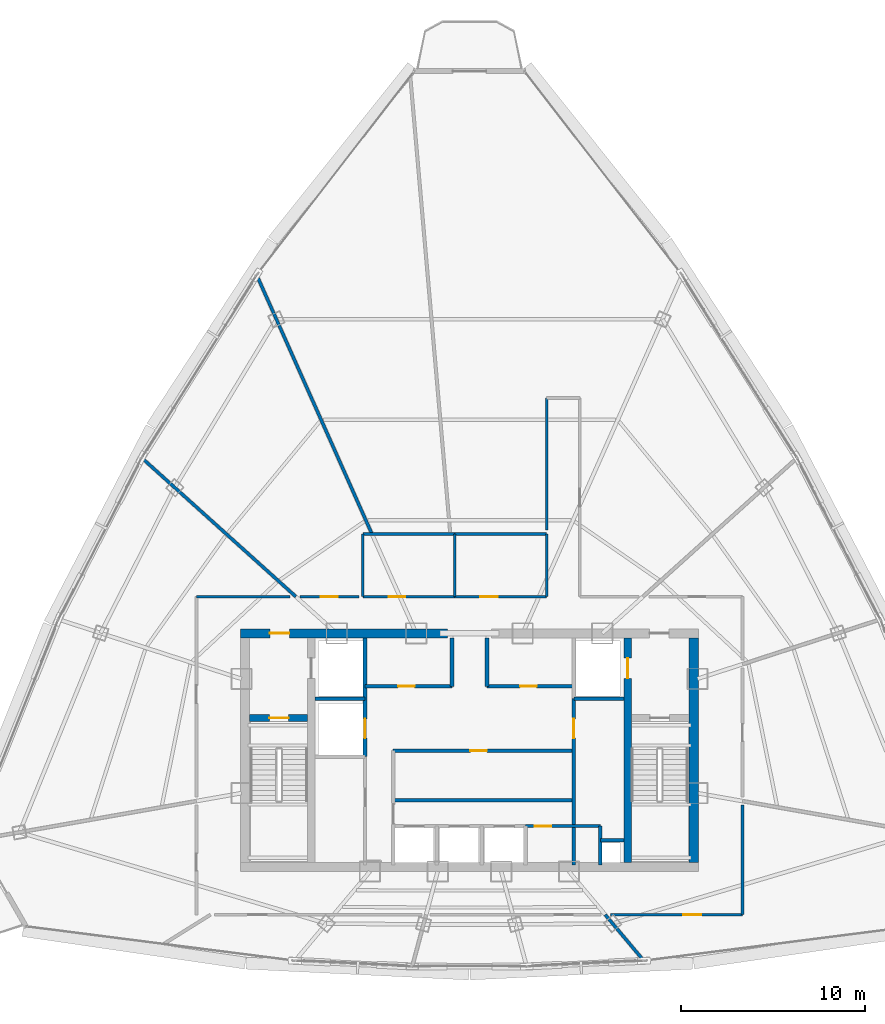
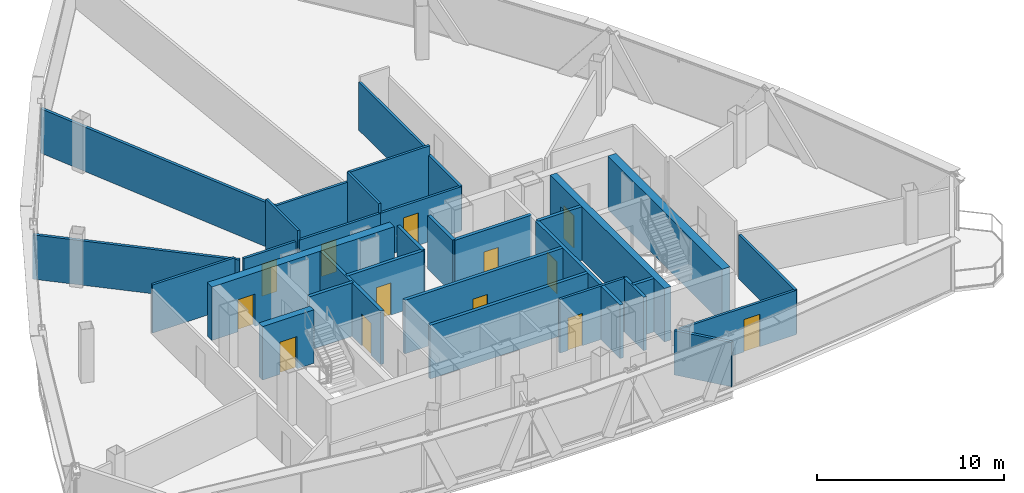
# One storey, part 26 of 30: 32 walls, 13 doors, 13 openings.
"""IFC4 building model written with IfcOpenShell, lengths in metres."""

from ifc_helpers import new_model, si_unit, direction, frame, frame_2d, origin, origin_with_axes, place, context, subcontext, project, spatial, rectangle, extrude, source, transform, mapped, material, layer, layer_set, type_object, element, fill, save


model = new_model("IFC4")

# Units and contexts
model_context = context("Model", 3, precision=1e-05, world=origin(), true_north=direction((0.0, 1.0)))
body_context = subcontext(model_context, "Body", "Model", "MODEL_VIEW")
ifc_project = project(units=[si_unit("LENGTHUNIT", "METRE"), si_unit("AREAUNIT", "SQUARE_METRE"), si_unit("VOLUMEUNIT", "CUBIC_METRE"), si_unit("PLANEANGLEUNIT", "RADIAN"), si_unit("MASSUNIT", "GRAM", prefix="KILO"), si_unit("THERMODYNAMICTEMPERATUREUNIT", "KELVIN"), si_unit("POWERUNIT", "WATT")], contexts=[model_context])

# Site, building, storey
site_placement = place(None, origin())
site = spatial("IfcSite", under=ifc_project, at=site_placement, CompositionType="ELEMENT")
building_placement = place(site_placement, origin())
building = spatial("IfcBuilding", under=site, at=building_placement, Name="Yunzhuo Pagoda Commons", CompositionType="ELEMENT")
storey_placement = place(building_placement, frame((0.0, 0.0, 348.010009765625)))
storey = spatial("IfcBuildingStorey", under=building, at=storey_placement, Name="L87", CompositionType="ELEMENT", Elevation=348.010009765625)

# Wall, opening, door
ifc_material_1 = material(Name="Concrete C50", Category="concrete")
ifc_layer_1 = layer(ifc_material_1, 0.5)
ifc_layer_set_1 = layer_set([ifc_layer_1], Name="Concrete C50")
wall_type_1 = type_object("IfcWallType", Name="W-C03 Upper Core Shear Wall 500", PredefinedType="SHEAR", material=ifc_layer_set_1)
wall_1_placement = place(storey_placement, frame((35.550048828125, 40.199951171875, 0.0), z_axis=(0.0, 0.0, 1.0), x_axis=(1.0, 0.0, 0.0)))
wall_1 = element("IfcWall", 1, at=wall_1_placement, inside=storey, type_object=wall_type_1, Name="L87 core shear wall NW", PredefinedType="SHEAR", context=body_context, shape_type="SweptSolid", body=[
    extrude(rectangle(XDim=11.25, YDim=0.5, at=frame_2d((5.625, 0.0))), origin(), (0.0, 0.0, 1.0), 3.489990234375),
])
opening_1_placement = place(wall_1_placement, frame((1.60009765625, 0.0, 0.0)))
opening_1 = element("IfcOpeningElement", 2, at=opening_1_placement, cuts=wall_1, Name="Opening D-02", PredefinedType="OPENING", context=body_context, shape_type="SweptSolid", body=[
    extrude(rectangle(XDim=1.050048828125, YDim=2.10009765625, at=frame_2d((0.52490234375, 1.050048828125))), frame((0.0, 0.260009765625, 0.0), z_axis=(0.0, -1.0, 0.0), x_axis=(1.0, 0.0, 0.0)), (0.0, 0.0, 1.0), 0.52001953125),
])
ifc_material_2 = material(Name="Galvanized fire-resisting metal leaf")
door_type_1 = type_object("IfcDoorType", Name="D-02 Firefighting Lobby & Refuge Fire Door 1050x2100", OperationType="NOTDEFINED", PredefinedType="DOOR", material=ifc_material_2)
shared_shape_1 = source(origin(), body_context, "Body", "SweptSolid", [
    extrude(rectangle(XDim=1.050048828125, YDim=2.10009765625, at=frame_2d((0.52490234375, 1.050048828125))), frame((0.0, 0.02490234375, 0.0), z_axis=(0.0, -1.0, 0.0), x_axis=(1.0, 0.0, 0.0)), (0.0, 0.0, 1.0), 0.050048828125),
])
door_1_placement = place(opening_1_placement, frame((1.050048828125, 0.0, 0.0), z_axis=(0.0, 0.0, 1.0), x_axis=(-1.0, 0.0, 0.0)))
door_1 = element("IfcDoor", 3, at=door_1_placement, inside=storey, type_object=door_type_1, Name="L87 Firefighting Lobby 1 fire door", OperationType="SINGLE_SWING_LEFT", OverallHeight=2.10009765625, OverallWidth=1.050048828125, PredefinedType="DOOR", context=body_context, shape_type="MappedRepresentation", body=[
    mapped(shared_shape_1, transform((0.0, 0.0, 0.0), scale=1.0)),
])
fill(opening_1, door_1)

# Wall
wall_2_placement = place(storey_placement, frame((60.199951171875, 27.75, 0.0), z_axis=(0.0, 0.0, 1.0), x_axis=(0.0, 1.0, 0.0)))
element("IfcWall", 4, at=wall_2_placement, inside=storey, type_object=wall_type_1, Name="L87 core shear wall E", PredefinedType="SHEAR", context=body_context, shape_type="SweptSolid", body=[
    extrude(rectangle(XDim=12.199951171875, YDim=0.5, at=frame_2d((6.10009765625, 0.0))), origin(), (0.0, 0.0, 1.0), 3.489990234375),
])

# Wall, opening, door
ifc_material_3 = material(Name="Gypsum plasterboard on acoustic stud")
ifc_layer_2 = layer(ifc_material_3, 0.14990234375)
ifc_layer_set_2 = layer_set([ifc_layer_2], Name="Gypsum plasterboard on acoustic stud")
wall_type_2 = type_object("IfcWallType", Name="W-COR3 High-Zone Rated Corridor Wall 150", PredefinedType="PARTITIONING", material=ifc_layer_set_2)
wall_3_placement = place(storey_placement, frame((51.050048828125, 29.719970703125, 0.0), z_axis=(0.0, 0.0, 1.0), x_axis=(1.0, 0.0, 0.0)))
wall_3 = element("IfcWall", 5, at=wall_3_placement, inside=storey, type_object=wall_type_2, Name="L87 interior wall IW-L87-CSES", PredefinedType="PARTITIONING", context=body_context, shape_type="SweptSolid", body=[
    extrude(rectangle(XDim=4.070068359375, YDim=0.14990234375, at=frame_2d((2.03515625, 0.0))), origin(), (0.0, 0.0, 1.0), 3.489990234375),
])
opening_2_placement = place(wall_3_placement, frame((0.5, 0.0, 0.0)))
opening_2 = element("IfcOpeningElement", 6, at=opening_2_placement, cuts=wall_3, Name="Opening D-03", PredefinedType="OPENING", context=body_context, shape_type="SweptSolid", body=[
    extrude(rectangle(XDim=0.89990234375, YDim=2.10009765625, at=frame_2d((0.449951171875, 1.050048828125))), frame((0.0, 0.0849609375, 0.0), z_axis=(0.0, -1.0, 0.0), x_axis=(1.0, 0.0, 0.0)), (0.0, 0.0, 1.0), 0.169921875),
])
door_type_2 = type_object("IfcDoorType", Name="D-03 Core Service Fire Door 900x2100", OperationType="NOTDEFINED", PredefinedType="DOOR", material=ifc_material_2)
shared_shape_2 = source(origin(), body_context, "Body", "SweptSolid", [
    extrude(rectangle(XDim=0.89990234375, YDim=2.10009765625, at=frame_2d((0.449951171875, 1.050048828125))), frame((0.0, 0.02490234375, 0.0), z_axis=(0.0, -1.0, 0.0), x_axis=(1.0, 0.0, 0.0)), (0.0, 0.0, 1.0), 0.050048828125),
])
door_2_placement = place(opening_2_placement, origin_with_axes())
door_2 = element("IfcDoor", 7, at=door_2_placement, inside=storey, type_object=door_type_2, Name="L87 cleaner store door", OperationType="SINGLE_SWING_LEFT", OverallHeight=2.10009765625, OverallWidth=0.89990234375, PredefinedType="DOOR", context=body_context, shape_type="MappedRepresentation", body=[
    mapped(shared_shape_2, transform((0.0, 0.0, 0.0), scale=1.0)),
])
fill(opening_2, door_2)

wall_4_placement = place(storey_placement, frame((42.199951171875, 42.199951171875, 0.0), z_axis=(0.0, 0.0, 1.0), x_axis=(1.0, 0.0, 0.0)))
wall_4 = element("IfcWall", 8, at=wall_4_placement, inside=storey, type_object=wall_type_2, Name="L87 interior wall IW-L87-TFWS", PredefinedType="PARTITIONING", context=body_context, shape_type="SweptSolid", body=[
    extrude(rectangle(XDim=5.0, YDim=0.14990234375, at=frame_2d((2.5, 0.0))), origin(), (0.0, 0.0, 1.0), 2.889892578125),
])
opening_3_placement = place(wall_4_placement, frame((1.39990234375, 0.0, 0.0)))
opening_3 = element("IfcOpeningElement", 9, at=opening_3_placement, cuts=wall_4, Name="Opening D-04", PredefinedType="OPENING", context=body_context, shape_type="SweptSolid", body=[
    extrude(rectangle(XDim=0.919921875, YDim=2.10009765625, at=frame_2d((0.4599609375, 1.050048828125))), frame((0.0, 0.0849609375, 0.0), z_axis=(0.0, -1.0, 0.0), x_axis=(1.0, 0.0, 0.0)), (0.0, 0.0, 1.0), 0.169921875),
])
ifc_material_4 = material(Name="Powder-coated aluminium and timber acoustic leaf", Category="wood")
door_type_3 = type_object("IfcDoorType", Name="D-04 Bedroom & Study Interior Door 920x2100", OperationType="NOTDEFINED", PredefinedType="DOOR", material=ifc_material_4)
shared_shape_3 = source(origin(), body_context, "Body", "SweptSolid", [
    extrude(rectangle(XDim=0.919921875, YDim=2.10009765625, at=frame_2d((0.4599609375, 1.050048828125))), frame((0.0, 0.02490234375, 0.0), z_axis=(0.0, -1.0, 0.0), x_axis=(1.0, 0.0, 0.0)), (0.0, 0.0, 1.0), 0.050048828125),
])
door_3_placement = place(opening_3_placement, frame((0.919921875, 0.0, 0.0), z_axis=(0.0, 0.0, 1.0), x_axis=(-1.0, 0.0, 0.0)))
door_3 = element("IfcDoor", 10, at=door_3_placement, inside=storey, type_object=door_type_3, Name="L87 laundry door", OperationType="SINGLE_SWING_LEFT", OverallHeight=2.10009765625, OverallWidth=0.919921875, PredefinedType="DOOR", context=body_context, shape_type="MappedRepresentation", body=[
    mapped(shared_shape_3, transform((0.0, 0.0, 0.0), scale=1.0)),
])
fill(opening_3, door_3)

# Walls
wall_5_placement = place(storey_placement, frame((42.199951171875, 45.60009765625, 0.0), z_axis=(0.0, 0.0, 1.0), x_axis=(1.0, 0.0, 0.0)))
element("IfcWall", 11, at=wall_5_placement, inside=storey, type_object=wall_type_2, Name="L87 interior wall IW-L87-TFWN", PredefinedType="PARTITIONING", context=body_context, shape_type="SweptSolid", body=[
    extrude(rectangle(XDim=5.0, YDim=0.14990234375, at=frame_2d((2.5, 0.0))), origin(), (0.0, 0.0, 1.0), 2.889892578125),
])
wall_6_placement = place(storey_placement, frame((42.199951171875, 42.199951171875, 0.0), z_axis=(0.0, 0.0, 1.0), x_axis=(0.0, 1.0, 0.0)))
element("IfcWall", 12, at=wall_6_placement, inside=storey, type_object=wall_type_2, Name="L87 interior wall IW-L87-TFWW", PredefinedType="PARTITIONING", context=body_context, shape_type="SweptSolid", body=[
    extrude(rectangle(XDim=3.400146484375, YDim=0.14990234375, at=frame_2d((1.7001953125, 0.0))), origin(), (0.0, 0.0, 1.0), 3.489990234375),
])

# Wall, opening, door
wall_7_placement = place(storey_placement, frame((47.199951171875, 42.199951171875, 0.0), z_axis=(0.0, 0.0, 1.0), x_axis=(1.0, 0.0, 0.0)))
wall_7 = element("IfcWall", 13, at=wall_7_placement, inside=storey, type_object=wall_type_2, Name="L87 interior wall IW-L87-TFES", PredefinedType="PARTITIONING", context=body_context, shape_type="SweptSolid", body=[
    extrude(rectangle(XDim=5.0, YDim=0.14990234375, at=frame_2d((2.5, 0.0))), origin(), (0.0, 0.0, 1.0), 2.889892578125),
])
opening_4_placement = place(wall_7_placement, frame((1.39990234375, 0.0, 0.0)))
opening_4 = element("IfcOpeningElement", 14, at=opening_4_placement, cuts=wall_7, Name="Opening D-11", PredefinedType="OPENING", context=body_context, shape_type="SweptSolid", body=[
    extrude(rectangle(XDim=0.93994140625, YDim=2.10009765625, at=frame_2d((0.469970703125, 1.050048828125))), frame((0.0, 0.0849609375, 0.0), z_axis=(0.0, -1.0, 0.0), x_axis=(1.0, 0.0, 0.0)), (0.0, 0.0, 1.0), 0.169921875),
])
door_type_4 = type_object("IfcDoorType", Name="D-11 Accessible Washroom Fire Door 940x2100", OperationType="NOTDEFINED", PredefinedType="DOOR", material=ifc_material_2)
shared_shape_4 = source(origin(), body_context, "Body", "SweptSolid", [
    extrude(rectangle(XDim=0.93994140625, YDim=2.10009765625, at=frame_2d((0.469970703125, 1.050048828125))), frame((0.0, 0.02490234375, 0.0), z_axis=(0.0, -1.0, 0.0), x_axis=(1.0, 0.0, 0.0)), (0.0, 0.0, 1.0), 0.050048828125),
])
door_4_placement = place(opening_4_placement, frame((0.93994140625, 0.0, 0.0), z_axis=(0.0, 0.0, 1.0), x_axis=(-1.0, 0.0, 0.0)))
door_4 = element("IfcDoor", 15, at=door_4_placement, inside=storey, type_object=door_type_4, Name="L87 accessible WC door", OperationType="SINGLE_SWING_RIGHT", OverallHeight=2.10009765625, OverallWidth=0.93994140625, PredefinedType="DOOR", context=body_context, shape_type="MappedRepresentation", body=[
    mapped(shared_shape_4, transform((0.0, 0.0, 0.0), scale=1.0)),
])
fill(opening_4, door_4)

# Walls
wall_8_placement = place(storey_placement, frame((47.199951171875, 45.60009765625, 0.0), z_axis=(0.0, 0.0, 1.0), x_axis=(1.0, 0.0, 0.0)))
element("IfcWall", 16, at=wall_8_placement, inside=storey, type_object=wall_type_2, Name="L87 interior wall IW-L87-TFEN", PredefinedType="PARTITIONING", context=body_context, shape_type="SweptSolid", body=[
    extrude(rectangle(XDim=5.0, YDim=0.14990234375, at=frame_2d((2.5, 0.0))), origin(), (0.0, 0.0, 1.0), 3.489990234375),
])
wall_9_placement = place(storey_placement, frame((47.199951171875, 42.199951171875, 0.0), z_axis=(0.0, 0.0, 1.0), x_axis=(0.0, 1.0, 0.0)))
element("IfcWall", 17, at=wall_9_placement, inside=storey, type_object=wall_type_2, Name="L87 interior wall IW-L87-TFEW", PredefinedType="PARTITIONING", context=body_context, shape_type="SweptSolid", body=[
    extrude(rectangle(XDim=3.400146484375, YDim=0.14990234375, at=frame_2d((1.7001953125, 0.0))), origin(), (0.0, 0.0, 1.0), 3.489990234375),
])
wall_10_placement = place(storey_placement, frame((52.199951171875, 42.199951171875, 0.0), z_axis=(0.0, 0.0, 1.0), x_axis=(0.0, 1.0, 0.0)))
element("IfcWall", 18, at=wall_10_placement, inside=storey, type_object=wall_type_2, Name="L87 interior wall IW-L87-TFEE", PredefinedType="PARTITIONING", context=body_context, shape_type="SweptSolid", body=[
    extrude(rectangle(XDim=3.400146484375, YDim=0.14990234375, at=frame_2d((1.7001953125, 0.0))), origin(), (0.0, 0.0, 1.0), 2.889892578125),
])
wall_11_placement = place(storey_placement, frame((33.14990234375, 42.199951171875, 0.0), z_axis=(0.0, 0.0, 1.0), x_axis=(1.0, 0.0, 0.0)))
element("IfcWall", 19, at=wall_11_placement, inside=storey, type_object=wall_type_2, Name="L87 interior wall IW-L87-CWL03", PredefinedType="PARTITIONING", context=body_context, shape_type="SweptSolid", body=[
    extrude(rectangle(XDim=5.0810546875, YDim=0.14990234375, at=frame_2d((2.54052734375, 0.0))), origin(), (0.0, 0.0, 1.0), 3.139892578125),
])

# Wall, opening, door
wall_12_placement = place(storey_placement, frame((38.779541015625, 42.199951171875, 0.0), z_axis=(0.0, 0.0, 1.0), x_axis=(1.0, 0.0, 0.0)))
wall_12 = element("IfcWall", 20, at=wall_12_placement, inside=storey, type_object=wall_type_2, Name="L87 interior wall IW-L87-CWL04", PredefinedType="PARTITIONING", context=body_context, shape_type="SweptSolid", body=[
    extrude(rectangle(XDim=3.200439453125, YDim=0.14990234375, at=frame_2d((1.60009765625, 0.0))), origin(), (0.0, 0.0, 1.0), 2.889892578125),
])
opening_5_placement = place(wall_12_placement, frame((1.140380859375, 0.0, 0.0)))
opening_5 = element("IfcOpeningElement", 21, at=opening_5_placement, cuts=wall_12, Name="Opening D-04", PredefinedType="OPENING", context=body_context, shape_type="SweptSolid", body=[
    extrude(rectangle(XDim=0.919921875, YDim=2.10009765625, at=frame_2d((0.4599609375, 1.050048828125))), frame((0.0, 0.0849609375, 0.0), z_axis=(0.0, -1.0, 0.0), x_axis=(1.0, 0.0, 0.0)), (0.0, 0.0, 1.0), 0.169921875),
])
door_5_placement = place(opening_5_placement, origin_with_axes())
door_5 = element("IfcDoor", 22, at=door_5_placement, inside=storey, type_object=door_type_3, Name="L87 seminar room 05 door", OperationType="SINGLE_SWING_LEFT", OverallHeight=2.10009765625, OverallWidth=0.919921875, PredefinedType="DOOR", context=body_context, shape_type="MappedRepresentation", body=[
    mapped(shared_shape_3, transform((0.0, 0.0, 0.0), scale=1.0)),
])
fill(opening_5, door_5)

# Walls
wall_13_placement = place(storey_placement, frame((52.199951171875, 45.820068359375, 0.0), z_axis=(0.0, 0.0, 1.0), x_axis=(0.0, 1.0, 0.0)))
element("IfcWall", 23, at=wall_13_placement, inside=storey, type_object=wall_type_2, Name="L87 interior wall IW-L87-CWL05", PredefinedType="PARTITIONING", context=body_context, shape_type="SweptSolid", body=[
    extrude(rectangle(XDim=7.179931640625, YDim=0.14990234375, at=frame_2d((3.58984375, 0.0))), origin(), (0.0, 0.0, 1.0), 3.139892578125),
])
wall_14_placement = place(storey_placement, frame((62.85009765625, 30.858154296875, 0.0), z_axis=(0.0, 0.0, 1.0), x_axis=(0.0, -1.0, 0.0)))
element("IfcWall", 24, at=wall_14_placement, inside=storey, type_object=wall_type_2, Name="L87 interior wall IW-L87-CWL12", PredefinedType="PARTITIONING", context=body_context, shape_type="SweptSolid", body=[
    extrude(rectangle(XDim=5.958251953125, YDim=0.14990234375, at=frame_2d((2.97900390625, 0.0))), origin(), (0.0, 0.0, 1.0), 2.889892578125),
])

# Wall, opening, door
wall_15_placement = place(storey_placement, frame((62.85009765625, 24.89990234375, 0.0), z_axis=(0.0, 0.0, 1.0), x_axis=(-1.0, 0.0, 0.0)))
wall_15 = element("IfcWall", 25, at=wall_15_placement, inside=storey, type_object=wall_type_2, Name="L87 interior wall IW-L87-CWL13", PredefinedType="PARTITIONING", context=body_context, shape_type="SweptSolid", body=[
    extrude(rectangle(XDim=7.1787109375, YDim=0.14990234375, at=frame_2d((3.58935546875, 0.0))), origin(), (0.0, 0.0, 1.0), 2.889892578125),
])
opening_6_placement = place(wall_15_placement, frame((2.250244140625, 0.0, 0.0)))
opening_6 = element("IfcOpeningElement", 26, at=opening_6_placement, cuts=wall_15, Name="Opening D-08", PredefinedType="OPENING", context=body_context, shape_type="SweptSolid", body=[
    extrude(rectangle(XDim=0.97998046875, YDim=2.1201171875, at=frame_2d((0.489990234375, 1.06005859375))), frame((0.0, 0.0849609375, 0.0), z_axis=(0.0, -1.0, 0.0), x_axis=(1.0, 0.0, 0.0)), (0.0, 0.0, 1.0), 0.169921875),
])
door_type_5 = type_object("IfcDoorType", Name="D-08 High-Zone Suite Entrance Fire Door 980x2120", OperationType="NOTDEFINED", PredefinedType="DOOR", material=ifc_material_2)
shared_shape_5 = source(origin(), body_context, "Body", "SweptSolid", [
    extrude(rectangle(XDim=0.97998046875, YDim=2.1201171875, at=frame_2d((0.489990234375, 1.06005859375))), frame((0.0, 0.02490234375, 0.0), z_axis=(0.0, -1.0, 0.0), x_axis=(1.0, 0.0, 0.0)), (0.0, 0.0, 1.0), 0.050048828125),
])
door_6_placement = place(opening_6_placement, origin_with_axes())
door_6 = element("IfcDoor", 27, at=door_6_placement, inside=storey, type_object=door_type_5, Name="L87 unit 10 entrance door", OperationType="SINGLE_SWING_RIGHT", OverallHeight=2.1201171875, OverallWidth=0.97998046875, PredefinedType="DOOR", context=body_context, shape_type="MappedRepresentation", body=[
    mapped(shared_shape_5, transform((0.0, 0.0, 0.0), scale=1.0)),
])
fill(opening_6, door_6)

# Walls
ifc_layer_3 = layer(ifc_material_3, 0.169921875)
ifc_layer_set_3 = layer_set([ifc_layer_3], Name="Gypsum plasterboard on acoustic stud")
wall_type_3 = type_object("IfcWallType", Name="W-PRT4 High-Zone Demising Wall 170", PredefinedType="PARTITIONING", material=ifc_layer_set_3)
wall_16_placement = place(storey_placement, frame((42.701904296875, 45.60009765625, 0.0), z_axis=(0.0, 0.0, 1.0), x_axis=(-0.40675369263, 0.913537866501, 0.0)))
element("IfcWall", 28, at=wall_16_placement, inside=storey, type_object=wall_type_3, Name="L87 interior wall IW-L87-RAD04", PredefinedType="PARTITIONING", context=body_context, shape_type="SweptSolid", body=[
    extrude(rectangle(XDim=15.425048828125, YDim=0.169921875, at=frame_2d((7.71240234375, 0.0))), origin(), (0.0, 0.0, 1.0), 2.889892578125),
])
wall_17_placement = place(storey_placement, frame((38.559814453125, 42.199951171875, 0.0), z_axis=(0.0, 0.0, 1.0), x_axis=(-0.74314133574, 0.669134482085, 0.0)))
element("IfcWall", 29, at=wall_17_placement, inside=storey, type_object=wall_type_3, Name="L87 interior wall IW-L87-RAD05", PredefinedType="PARTITIONING", context=body_context, shape_type="SweptSolid", body=[
    extrude(rectangle(XDim=11.2822265625, YDim=0.169921875, at=frame_2d((5.64111328125, 0.0))), origin(), (0.0, 0.0, 1.0), 2.889892578125),
])
wall_18_placement = place(storey_placement, frame((55.384033203125, 24.89990234375, 0.0), z_axis=(0.0, 0.0, 1.0), x_axis=(0.642829818613, -0.766009023642, 0.0)))
element("IfcWall", 30, at=wall_18_placement, inside=storey, type_object=wall_type_3, Name="L87 interior wall IW-L87-RAD09", PredefinedType="PARTITIONING", context=body_context, shape_type="SweptSolid", body=[
    extrude(rectangle(XDim=3.272216796875, YDim=0.169921875, at=frame_2d((1.63623046875, 0.0))), origin(), (0.0, 0.0, 1.0), 2.889892578125),
])

# Wall, opening, door
ifc_material_5 = material(Name="Concrete C60", Category="concrete")
ifc_layer_4 = layer(ifc_material_5, 0.39990234375)
ifc_layer_set_4 = layer_set([ifc_layer_4], Name="Concrete C60")
wall_type_4 = type_object("IfcWallType", Name="W-S01 Internal Core Shear Web 400", PredefinedType="SHEAR", material=ifc_layer_set_4)
wall_19_placement = place(storey_placement, frame((56.60009765625, 27.75, 0.0), z_axis=(0.0, 0.0, 1.0), x_axis=(0.0, 1.0, 0.0)))
wall_19 = element("IfcWall", 31, at=wall_19_placement, inside=storey, type_object=wall_type_4, Name="L87 core shear wall WEBE", PredefinedType="SHEAR", context=body_context, shape_type="SweptSolid", body=[
    extrude(rectangle(XDim=12.199951171875, YDim=0.39990234375, at=frame_2d((6.10009765625, 0.0))), origin(), (0.0, 0.0, 1.0), 3.489990234375),
])
opening_7_placement = place(wall_19_placement, frame((10.0, 0.0, 0.0)))
opening_7 = element("IfcOpeningElement", 32, at=opening_7_placement, cuts=wall_19, Name="Opening LD-01", PredefinedType="OPENING", context=body_context, shape_type="SweptSolid", body=[
    extrude(rectangle(XDim=1.10009765625, YDim=2.10009765625, at=frame_2d((0.550048828125, 1.050048828125))), frame((0.0, 0.2099609375, 0.0), z_axis=(0.0, -1.0, 0.0), x_axis=(1.0, 0.0, 0.0)), (0.0, 0.0, 1.0), 0.419921875),
])
door_type_6 = type_object("IfcDoorType", Name="LD-01 Firefighting Lift Landing Door 1100x2100", OperationType="DOUBLE_DOOR_SLIDING", PredefinedType="DOOR", material=ifc_material_2)
shared_shape_6 = source(origin(), body_context, "Body", "SweptSolid", [
    extrude(rectangle(XDim=1.10009765625, YDim=2.10009765625, at=frame_2d((0.550048828125, 1.050048828125))), frame((0.0, 0.02490234375, 0.0), z_axis=(0.0, -1.0, 0.0), x_axis=(1.0, 0.0, 0.0)), (0.0, 0.0, 1.0), 0.050048828125),
])
door_7_placement = place(opening_7_placement, origin_with_axes())
door_7 = element("IfcDoor", 33, at=door_7_placement, inside=storey, type_object=door_type_6, Name="L87 Firefighting lift FL-2 landing door", OperationType="DOUBLE_DOOR_SLIDING", OverallHeight=2.10009765625, OverallWidth=1.10009765625, PredefinedType="DOOR", context=body_context, shape_type="MappedRepresentation", body=[
    mapped(shared_shape_6, transform((0.0, 0.0, 0.0), scale=1.0)),
])
fill(opening_7, door_7)

wall_20_placement = place(storey_placement, frame((36.050048828125, 35.60009765625, 0.0), z_axis=(0.0, 0.0, 1.0), x_axis=(1.0, 0.0, 0.0)))
wall_20 = element("IfcWall", 34, at=wall_20_placement, inside=storey, type_object=wall_type_4, Name="L87 core shear wall STW", PredefinedType="SHEAR", context=body_context, shape_type="SweptSolid", body=[
    extrude(rectangle(XDim=3.14990234375, YDim=0.39990234375, at=frame_2d((1.574951171875, 0.0))), origin(), (0.0, 0.0, 1.0), 3.489990234375),
])
opening_8_placement = place(wall_20_placement, frame((1.070068359375, 0.0, 0.0)))
opening_8 = element("IfcOpeningElement", 35, at=opening_8_placement, cuts=wall_20, Name="Opening D-01", PredefinedType="OPENING", context=body_context, shape_type="SweptSolid", body=[
    extrude(rectangle(XDim=1.050048828125, YDim=2.10009765625, at=frame_2d((0.52490234375, 1.050048828125))), frame((0.0, 0.2099609375, 0.0), z_axis=(0.0, -1.0, 0.0), x_axis=(1.0, 0.0, 0.0)), (0.0, 0.0, 1.0), 0.419921875),
])
door_type_7 = type_object("IfcDoorType", Name="D-01 Smokeproof Stair Fire Door 1050x2100", OperationType="NOTDEFINED", PredefinedType="DOOR", material=ifc_material_2)
door_8_placement = place(opening_8_placement, frame((1.050048828125, 0.0, 0.0), z_axis=(0.0, 0.0, 1.0), x_axis=(-1.0, 0.0, 0.0)))
door_8 = element("IfcDoor", 36, at=door_8_placement, inside=storey, type_object=door_type_7, Name="L87 Stair ST1 fire door", OperationType="SINGLE_SWING_LEFT", OverallHeight=2.10009765625, OverallWidth=1.050048828125, PredefinedType="DOOR", context=body_context, shape_type="MappedRepresentation", body=[
    mapped(shared_shape_1, transform((0.0, 0.0, 0.0), scale=1.0)),
])
fill(opening_8, door_8)

ifc_material_6 = material(Name="Concrete C40", Category="concrete")
ifc_layer_5 = layer(ifc_material_6, 0.199951171875)
ifc_layer_set_5 = layer_set([ifc_layer_5], Name="Concrete C40")
wall_type_5 = type_object("IfcWallType", Name="W-SHF Shaft & Stair Enclosure Wall 200", PredefinedType="SOLIDWALL", material=ifc_layer_set_5)
wall_21_placement = place(storey_placement, frame((42.320068359375, 33.5, 0.0), z_axis=(0.0, 0.0, 1.0), x_axis=(0.0, 1.0, 0.0)))
wall_21 = element("IfcWall", 37, at=wall_21_placement, inside=storey, type_object=wall_type_5, Name="L87 interior wall IW-L87-FL1E", PredefinedType="SOLIDWALL", context=body_context, shape_type="SweptSolid", body=[
    extrude(rectangle(XDim=6.449951171875, YDim=0.199951171875, at=frame_2d((3.22509765625, 0.0))), origin(), (0.0, 0.0, 1.0), 3.489990234375),
])
opening_9_placement = place(wall_21_placement, frame((1.0, 0.0, 0.0)))
opening_9 = element("IfcOpeningElement", 38, at=opening_9_placement, cuts=wall_21, Name="Opening LD-02", PredefinedType="OPENING", context=body_context, shape_type="SweptSolid", body=[
    extrude(rectangle(XDim=1.050048828125, YDim=2.10009765625, at=frame_2d((0.52490234375, 1.050048828125))), frame((0.0, 0.10986328125, 0.0), z_axis=(0.0, -1.0, 0.0), x_axis=(1.0, 0.0, 0.0)), (0.0, 0.0, 1.0), 0.219970703125),
])
door_type_8 = type_object("IfcDoorType", Name="LD-02 Passenger Lift Landing Door 1050x2100", OperationType="DOUBLE_DOOR_SLIDING", PredefinedType="DOOR", material=ifc_material_2)
door_9_placement = place(opening_9_placement, origin_with_axes())
door_9 = element("IfcDoor", 39, at=door_9_placement, inside=storey, type_object=door_type_8, Name="L87 Service lift SL-1 landing door", OperationType="DOUBLE_DOOR_SLIDING", OverallHeight=2.10009765625, OverallWidth=1.050048828125, PredefinedType="DOOR", context=body_context, shape_type="MappedRepresentation", body=[
    mapped(shared_shape_1, transform((0.0, 0.0, 0.0), scale=1.0)),
])
fill(opening_9, door_9)

# Walls
for number, where, z_axis, x_axis, name in (
    (40, (39.60009765625, 36.64990234375, 0.0), (0.0, 0.0, 1.0), (1.0, 0.0, 0.0), "L87 interior wall IW-L87-FL1S"),
    (41, (53.679931640625, 36.64990234375, 0.0), (0.0, 0.0, 1.0), (1.0, 0.0, 0.0), "L87 interior wall IW-L87-FL2S"),
):
    element("IfcWall", number, at=place(storey_placement, frame(where, z_axis=z_axis, x_axis=x_axis)), inside=storey, type_object=wall_type_5, Name=name, PredefinedType="SOLIDWALL", context=body_context, shape_type="SweptSolid", body=[
        extrude(rectangle(XDim=2.719970703125, YDim=0.199951171875, at=frame_2d((1.35986328125, 0.0))), origin(), (0.0, 0.0, 1.0), 3.489990234375),
    ])

# Wall, opening, door
wall_22_placement = place(storey_placement, frame((42.320068359375, 37.320068359375, 0.0), z_axis=(0.0, 0.0, 1.0), x_axis=(1.0, 0.0, 0.0)))
wall_22 = element("IfcWall", 42, at=wall_22_placement, inside=storey, type_object=wall_type_5, Name="L87 interior wall IW-L87-LBNW", PredefinedType="SOLIDWALL", context=body_context, shape_type="SweptSolid", body=[
    extrude(rectangle(XDim=4.72998046875, YDim=0.199951171875, at=frame_2d((2.364990234375, 0.0))), origin(), (0.0, 0.0, 1.0), 3.489990234375),
])
opening_10_placement = place(wall_22_placement, frame((1.800048828125, 0.0, 0.0)))
opening_10 = element("IfcOpeningElement", 43, at=opening_10_placement, cuts=wall_22, Name="Opening D-03", PredefinedType="OPENING", context=body_context, shape_type="SweptSolid", body=[
    extrude(rectangle(XDim=0.89990234375, YDim=2.10009765625, at=frame_2d((0.449951171875, 1.050048828125))), frame((0.0, 0.10986328125, 0.0), z_axis=(0.0, -1.0, 0.0), x_axis=(1.0, 0.0, 0.0)), (0.0, 0.0, 1.0), 0.219970703125),
])
door_10_placement = place(opening_10_placement, frame((0.89990234375, 0.0, 0.0), z_axis=(0.0, 0.0, 1.0), x_axis=(-1.0, 0.0, 0.0)))
door_10 = element("IfcDoor", 44, at=door_10_placement, inside=storey, type_object=door_type_2, Name="L87 core west store door", OperationType="SINGLE_SWING_LEFT", OverallHeight=2.10009765625, OverallWidth=0.89990234375, PredefinedType="DOOR", context=body_context, shape_type="MappedRepresentation", body=[
    mapped(shared_shape_2, transform((0.0, 0.0, 0.0), scale=1.0)),
])
fill(opening_10, door_10)

wall_23_placement = place(storey_placement, frame((48.949951171875, 37.320068359375, 0.0), z_axis=(0.0, 0.0, 1.0), x_axis=(1.0, 0.0, 0.0)))
wall_23 = element("IfcWall", 45, at=wall_23_placement, inside=storey, type_object=wall_type_5, Name="L87 interior wall IW-L87-LBNE", PredefinedType="SOLIDWALL", context=body_context, shape_type="SweptSolid", body=[
    extrude(rectangle(XDim=4.72998046875, YDim=0.199951171875, at=frame_2d((2.364990234375, 0.0))), origin(), (0.0, 0.0, 1.0), 3.489990234375),
])
opening_11_placement = place(wall_23_placement, frame((1.800048828125, 0.0, 0.0)))
opening_11 = element("IfcOpeningElement", 46, at=opening_11_placement, cuts=wall_23, Name="Opening D-03", PredefinedType="OPENING", context=body_context, shape_type="SweptSolid", body=[
    extrude(rectangle(XDim=0.89990234375, YDim=2.10009765625, at=frame_2d((0.449951171875, 1.050048828125))), frame((0.0, 0.10986328125, 0.0), z_axis=(0.0, -1.0, 0.0), x_axis=(1.0, 0.0, 0.0)), (0.0, 0.0, 1.0), 0.219970703125),
])
door_11_placement = place(opening_11_placement, frame((0.89990234375, 0.0, 0.0), z_axis=(0.0, 0.0, 1.0), x_axis=(-1.0, 0.0, 0.0)))
door_11 = element("IfcDoor", 47, at=door_11_placement, inside=storey, type_object=door_type_2, Name="L87 core east store door", OperationType="SINGLE_SWING_RIGHT", OverallHeight=2.10009765625, OverallWidth=0.89990234375, PredefinedType="DOOR", context=body_context, shape_type="MappedRepresentation", body=[
    mapped(shared_shape_2, transform((0.0, 0.0, 0.0), scale=1.0)),
])
fill(opening_11, door_11)

# Walls
for number, where, z_axis, x_axis, name in (
    (48, (47.050048828125, 37.320068359375, 0.0), (0.0, 0.0, 1.0), (0.0, 1.0, 0.0), "L87 interior wall IW-L87-THRW"),
    (49, (48.949951171875, 37.320068359375, 0.0), (0.0, 0.0, 1.0), (0.0, 1.0, 0.0), "L87 interior wall IW-L87-THRE"),
):
    element("IfcWall", number, at=place(storey_placement, frame(where, z_axis=z_axis, x_axis=x_axis)), inside=storey, type_object=wall_type_5, Name=name, PredefinedType="SOLIDWALL", context=body_context, shape_type="SweptSolid", body=[
        extrude(rectangle(XDim=2.6298828125, YDim=0.199951171875, at=frame_2d((1.31494140625, 0.0))), origin(), (0.0, 0.0, 1.0), 3.489990234375),
    ])

# Wall, opening, door
wall_24_placement = place(storey_placement, frame((43.85009765625, 33.820068359375, 0.0), z_axis=(0.0, 0.0, 1.0), x_axis=(1.0, 0.0, 0.0)))
wall_24 = element("IfcWall", 50, at=wall_24_placement, inside=storey, type_object=wall_type_5, Name="L87 interior wall IW-L87-MLBS", PredefinedType="SOLIDWALL", context=body_context, shape_type="SweptSolid", body=[
    extrude(rectangle(XDim=9.829833984375, YDim=0.199951171875, at=frame_2d((4.9150390625, 0.0))), origin(), (0.0, 0.0, 1.0), 3.489990234375),
])
opening_12_placement = place(wall_24_placement, frame((4.199951171875, 0.0, 0.0)))
opening_12 = element("IfcOpeningElement", 51, at=opening_12_placement, cuts=wall_24, Name="Opening D-03", PredefinedType="OPENING", context=body_context, shape_type="SweptSolid", body=[
    extrude(rectangle(XDim=0.89990234375, YDim=2.10009765625, at=frame_2d((0.449951171875, 1.050048828125))), frame((0.0, 0.10986328125, 0.0), z_axis=(0.0, -1.0, 0.0), x_axis=(1.0, 0.0, 0.0)), (0.0, 0.0, 1.0), 0.219970703125),
])
door_12_placement = place(opening_12_placement, origin_with_axes())
door_12 = element("IfcDoor", 52, at=door_12_placement, inside=storey, type_object=door_type_2, Name="L87 core archive store door", OperationType="SINGLE_SWING_LEFT", OverallHeight=2.10009765625, OverallWidth=0.89990234375, PredefinedType="DOOR", context=body_context, shape_type="MappedRepresentation", body=[
    mapped(shared_shape_2, transform((0.0, 0.0, 0.0), scale=1.0)),
])
fill(opening_12, door_12)

wall_25_placement = place(storey_placement, frame((53.679931640625, 27.60009765625, 0.0), z_axis=(0.0, 0.0, 1.0), x_axis=(0.0, 1.0, 0.0)))
wall_25 = element("IfcWall", 53, at=wall_25_placement, inside=storey, type_object=wall_type_5, Name="L87 interior wall IW-L87-PLME", PredefinedType="SOLIDWALL", context=body_context, shape_type="SweptSolid", body=[
    extrude(rectangle(XDim=9.0498046875, YDim=0.199951171875, at=frame_2d((4.52490234375, 0.0))), origin(), (0.0, 0.0, 1.0), 3.489990234375),
])
opening_13_placement = place(wall_25_placement, frame((6.89990234375, 0.0, 0.0)))
opening_13 = element("IfcOpeningElement", 54, at=opening_13_placement, cuts=wall_25, Name="Opening D-02", PredefinedType="OPENING", context=body_context, shape_type="SweptSolid", body=[
    extrude(rectangle(XDim=1.050048828125, YDim=2.10009765625, at=frame_2d((0.52490234375, 1.050048828125))), frame((0.0, 0.10986328125, 0.0), z_axis=(0.0, -1.0, 0.0), x_axis=(1.0, 0.0, 0.0)), (0.0, 0.0, 1.0), 0.219970703125),
])
door_13_placement = place(opening_13_placement, origin_with_axes())
door_13 = element("IfcDoor", 55, at=door_13_placement, inside=storey, type_object=door_type_1, Name="L87 High-bank lift hall door", OperationType="SINGLE_SWING_RIGHT", OverallHeight=2.10009765625, OverallWidth=1.050048828125, PredefinedType="DOOR", context=body_context, shape_type="MappedRepresentation", body=[
    mapped(shared_shape_1, transform((0.0, 0.0, 0.0), scale=1.0)),
])
fill(opening_13, door_13)

# Walls
wall_26_placement = place(storey_placement, frame((43.85009765625, 31.1201171875, 0.0), z_axis=(0.0, 0.0, 1.0), x_axis=(1.0, 0.0, 0.0)))
element("IfcWall", 56, at=wall_26_placement, inside=storey, type_object=wall_type_5, Name="L87 interior wall IW-L87-PLMS2", PredefinedType="SOLIDWALL", context=body_context, shape_type="SweptSolid", body=[
    extrude(rectangle(XDim=9.829833984375, YDim=0.199951171875, at=frame_2d((4.9150390625, 0.0))), origin(), (0.0, 0.0, 1.0), 3.489990234375),
])
wall_27_placement = place(storey_placement, frame((55.1201171875, 27.60009765625, 0.0), z_axis=(0.0, 0.0, 1.0), x_axis=(0.0, 1.0, 0.0)))
element("IfcWall", 57, at=wall_27_placement, inside=storey, type_object=wall_type_5, Name="L87 interior wall IW-L87-RSHFW", PredefinedType="SOLIDWALL", context=body_context, shape_type="SweptSolid", body=[
    extrude(rectangle(XDim=2.119873046875, YDim=0.199951171875, at=frame_2d((1.06005859375, 0.0))), origin(), (0.0, 0.0, 1.0), 3.489990234375),
])
wall_28_placement = place(storey_placement, frame((55.1201171875, 28.949951171875, 0.0), z_axis=(0.0, 0.0, 1.0), x_axis=(1.0, 0.0, 0.0)))
element("IfcWall", 58, at=wall_28_placement, inside=storey, type_object=wall_type_5, Name="L87 interior wall IW-L87-RSHFN", PredefinedType="SOLIDWALL", context=body_context, shape_type="SweptSolid", body=[
    extrude(rectangle(XDim=1.27978515625, YDim=0.199951171875, at=frame_2d((0.639892578125, 0.0))), origin(), (0.0, 0.0, 1.0), 3.489990234375),
])

save(model, "model.ifc")
